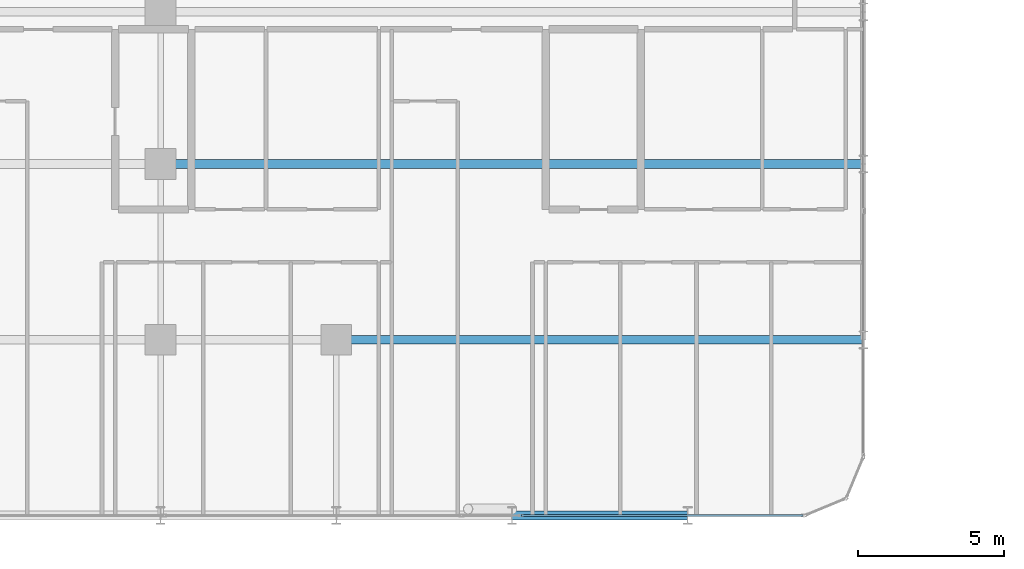
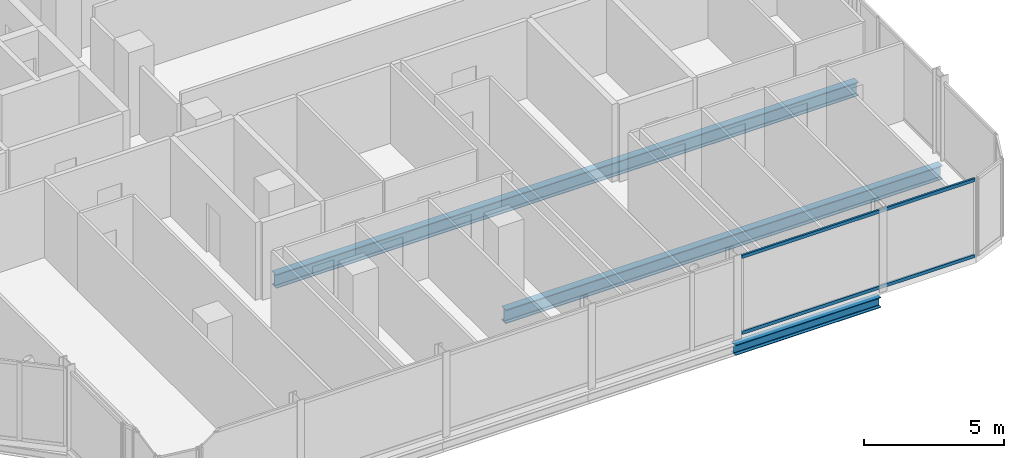
# One storey, part 9 of 29: 3 beams, 2 members, 1 element without a shape of its own.
"""IFC4 building model written with IfcOpenShell, lengths in metres."""

import ifcopenshell
import ifcopenshell.guid

model = None  # the IFC model being written
_history = None  # IfcOwnerHistory: only IFC2X3 demands one
_inside = {}  # id of a spatial element -> (the spatial element, [elements in it])
_under = {}  # id of a project, library or spatial element -> (it, [spatial elements below it])
_declared = {}  # id of a project -> (the project, [libraries it declares])
_typed = {}  # id of a type object -> (the type object, [elements of that type])
_made_of = {}  # id of a material, layer set ... -> (it, [elements and type objects made of it])


def new_model(schema):
    """Start an empty IFC model of exactly this schema.

    Asked for "IFC4X3", IfcOpenShell would pick the latest addendum, in which some entities
    have other attributes; the version numbers below select the first issue.
    IFC2X3 requires an IfcOwnerHistory on every rooted entity: one is made here for all.
    """
    global model, _history
    if schema == "IFC4X3":
        model = ifcopenshell.file(schema_version=(4, 3, 0, 0))
    else:
        model = ifcopenshell.file(schema=schema)
    _inside.clear()
    _under.clear()
    _declared.clear()
    _typed.clear()
    _made_of.clear()
    _history = None
    if model.schema == "IFC2X3":
        org = make("IfcOrganization", Name="unknown")
        user = make(
            "IfcPersonAndOrganization",
            ThePerson=make("IfcPerson", FamilyName="unknown"),
            TheOrganization=org,
        )
        app = make(
            "IfcApplication",
            ApplicationDeveloper=org,
            Version="unknown",
            ApplicationFullName="unknown",
            ApplicationIdentifier="unknown",
        )
        _history = make(
            "IfcOwnerHistory",
            OwningUser=user,
            OwningApplication=app,
            ChangeAction="ADDED",
            CreationDate=0,
        )
    return model


def make(cls, **values):
    """One entity of the class cls with the attributes given. An attribute that is None is left unset."""
    return model.create_entity(
        cls, **{name: value for name, value in values.items() if value is not None}
    )


def rooted(cls, **values):
    """An entity with a GlobalId (a new one), such as an element, a storey or a relation."""
    return make(cls, GlobalId=ifcopenshell.guid.new(), OwnerHistory=_history, **values)


def si_unit(unit_type, name, prefix=None):
    """IfcSIUnit, for example si_unit("LENGTHUNIT", "METRE", prefix="MILLI")."""
    return make("IfcSIUnit", UnitType=unit_type, Prefix=prefix, Name=name)


def assignment(units):
    """IfcUnitAssignment: the units of a project."""
    return None if units is None else make("IfcUnitAssignment", Units=units)


def point(xyz):
    """IfcCartesianPoint."""
    return None if xyz is None else make("IfcCartesianPoint", Coordinates=xyz)


def direction(xyz):
    """IfcDirection."""
    return None if xyz is None else make("IfcDirection", DirectionRatios=xyz)


def frame(location, z_axis=None, x_axis=None):
    """IfcAxis2Placement3D, a coordinate frame: its origin and axes. An axis left out is left unset."""
    return make(
        "IfcAxis2Placement3D",
        Location=point(location),
        Axis=direction(z_axis),
        RefDirection=direction(x_axis),
    )


def frame_2d(location, x_axis=None):
    """IfcAxis2Placement2D, a coordinate frame in the plane: its origin and x axis."""
    return make(
        "IfcAxis2Placement2D", Location=point(location), RefDirection=direction(x_axis)
    )


def origin():
    """The frame at (0, 0, 0) with its axes left unset."""
    return frame((0.0, 0.0, 0.0))


def origin_2d():
    """The frame at (0, 0) in the plane with its x axis left unset."""
    return frame_2d((0.0, 0.0))


def place(relative_to, where):
    """IfcLocalPlacement: puts the frame where relative to a parent placement (None: the world)."""
    return make(
        "IfcLocalPlacement", PlacementRelTo=relative_to, RelativePlacement=where
    )


def context(
    kind, dimensions, precision=None, world=None, true_north=None, identifier=None
):
    """IfcGeometricRepresentationContext, for example the 3D "Model" context."""
    return make(
        "IfcGeometricRepresentationContext",
        ContextIdentifier=identifier,
        ContextType=kind,
        CoordinateSpaceDimension=dimensions,
        Precision=precision,
        WorldCoordinateSystem=world,
        TrueNorth=true_north,
    )


def subcontext(parent, identifier, kind, view, scale=None):
    """IfcGeometricRepresentationSubContext, for example "Body" below "Model"."""
    return make(
        "IfcGeometricRepresentationSubContext",
        ContextIdentifier=identifier,
        ContextType=kind,
        ParentContext=parent,
        TargetScale=scale,
        TargetView=view,
    )


def project(units=None, contexts=None):
    """IfcProject with its units and contexts."""
    return rooted(
        "IfcProject",
        Name="project",
        RepresentationContexts=contexts,
        UnitsInContext=assignment(units),
    )


def spatial(cls, under=None, at=None, **own):
    """A site, building, storey or space (cls), placed at a placement, below another one or the project."""
    s = rooted(cls, ObjectPlacement=at, **own)
    if under is not None:
        _under.setdefault(under.id(), (under, []))[1].append(s)
    return s


def profile(cls, at=None, kind="AREA", **sizes):
    """A parametric profile (cls). Its sizes go by their IFC names, for example OverallWidth=200.0."""
    return make(cls, ProfileType=kind, Position=at, **sizes)


def hollow_rectangle(**sizes):
    """IfcRectangleHollowProfileDef."""
    return profile("IfcRectangleHollowProfileDef", **sizes)


def i_section(**sizes):
    """IfcIShapeProfileDef."""
    return profile("IfcIShapeProfileDef", **sizes)


def extrude(swept, where, along, depth):
    """IfcExtrudedAreaSolid: the profile swept, set in the frame where, extruded along a direction by depth."""
    return make(
        "IfcExtrudedAreaSolid",
        SweptArea=swept,
        Position=where,
        ExtrudedDirection=direction(along),
        Depth=depth,
    )


def shape(context_of_items, identifier, shape_type, items):
    """IfcShapeRepresentation: the items that make up one representation, for example the "Body"."""
    return make(
        "IfcShapeRepresentation",
        ContextOfItems=context_of_items,
        RepresentationIdentifier=identifier,
        RepresentationType=shape_type,
        Items=items,
    )


def material(Name=None, Category=None):
    """IfcMaterial."""
    return make("IfcMaterial", Name=Name, Category=Category)


def layer(
    of_material, thickness, ventilated=None, Name=None, Category=None, Priority=None
):
    """IfcMaterialLayer: one layer of a wall or slab, of a material (None: an air gap)."""
    return make(
        "IfcMaterialLayer",
        Material=of_material,
        LayerThickness=thickness,
        IsVentilated=ventilated,
        Name=Name,
        Category=Category,
        Priority=Priority,
    )


def layer_set(layers, Name=None):
    """IfcMaterialLayerSet."""
    return make("IfcMaterialLayerSet", MaterialLayers=layers, LayerSetName=Name)


def material_profile(
    of_material, cross_section, Name=None, Category=None, Priority=None
):
    """IfcMaterialProfile: a cross section and its material."""
    return make(
        "IfcMaterialProfile",
        Name=Name,
        Material=of_material,
        Profile=cross_section,
        Priority=Priority,
        Category=Category,
    )


def profile_set(profiles, Name=None, composite=None):
    """IfcMaterialProfileSet."""
    return make(
        "IfcMaterialProfileSet",
        Name=Name,
        MaterialProfiles=profiles,
        CompositeProfile=composite,
    )


def made_of(thing, what):
    """Note that an element or type object is made of a material, layer set ...; save() writes the relation."""
    if what is not None:
        _made_of.setdefault(what.id(), (what, []))[1].append(thing)
    return thing


def type_object(cls, material=None, **own):
    """A type object (cls), such as IfcWallType, which elements share."""
    return made_of(rooted(cls, **own), material)


def element(
    cls,
    number,
    at=None,
    inside=None,
    cuts=None,
    type_object=None,
    material=None,
    context=None,
    identifier="Body",
    shape_type=None,
    held_by="IfcProductDefinitionShape",
    body=None,
    shapes=None,
    **own,
):
    """One element of the class cls, such as IfcWall. Its Tag is "e" and its number.

    at: its placement. inside: the storey or other place that contains it. cuts: it is an
    opening in that element (IfcRelVoidsElement). A single representation is given by context,
    identifier, shape_type and body (its items); several are given by shapes. held_by: the class
    of the entity that holds the representations. save() writes the other relations.
    """
    e = rooted(cls, Tag="e%d" % number, ObjectPlacement=at, **own)
    if body is not None:
        shapes = [shape(context, identifier, shape_type, body)]
    if shapes is not None:
        e.Representation = make(held_by, Representations=shapes)
    if inside is not None:
        _inside.setdefault(inside.id(), (inside, []))[1].append(e)
    if cuts is not None:
        rooted(
            "IfcRelVoidsElement", RelatingBuildingElement=cuts, RelatedOpeningElement=e
        )
    if type_object is not None:
        _typed.setdefault(type_object.id(), (type_object, []))[1].append(e)
    return made_of(e, material)


def aggregate(whole, parts):
    """IfcRelAggregates: a whole, such as a stair, and the parts it consists of."""
    return rooted("IfcRelAggregates", RelatingObject=whole, RelatedObjects=parts)


def save(model, path):
    """Write the relations noted so far, then the file.

    IfcRelAggregates (storeys below a building ...), IfcRelContainedInSpatialStructure (elements
    in a storey), IfcRelDefinesByType, IfcRelAssociatesMaterial and IfcRelDeclares: one each for
    every whole, place, type object, material and project.
    """
    for whole, parts in _under.values():
        aggregate(whole, parts)
    for where, things in _inside.values():
        rooted(
            "IfcRelContainedInSpatialStructure",
            RelatedElements=things,
            RelatingStructure=where,
        )
    for kind, things in _typed.values():
        rooted("IfcRelDefinesByType", RelatedObjects=things, RelatingType=kind)
    for what, things in _made_of.values():
        rooted("IfcRelAssociatesMaterial", RelatedObjects=things, RelatingMaterial=what)
    for by, libraries in _declared.values():
        rooted("IfcRelDeclares", RelatingContext=by, RelatedDefinitions=libraries)
    model.write(path)


model = new_model("IFC4")

# Units and contexts
model_context = context("Model", 3, precision=1e-05, world=origin(), true_north=direction((0.0, 1.0)))
body_context = subcontext(model_context, "Body", "Model", "MODEL_VIEW")
ifc_project = project(units=[si_unit("LENGTHUNIT", "METRE"), si_unit("AREAUNIT", "SQUARE_METRE"), si_unit("VOLUMEUNIT", "CUBIC_METRE"), si_unit("PLANEANGLEUNIT", "RADIAN"), si_unit("MASSUNIT", "GRAM", prefix="KILO")], contexts=[model_context])

# Site, building, storey
site_placement = place(None, origin())
site = spatial("IfcSite", under=ifc_project, at=site_placement, CompositionType="ELEMENT")
building_placement = place(site_placement, origin())
building = spatial("IfcBuilding", under=site, at=building_placement, Name="Keshet Zoharim Tower", CompositionType="ELEMENT")
storey_placement = place(building_placement, frame((0.0, 0.0, 105.699951171875)))
storey = spatial("IfcBuildingStorey", under=building, at=storey_placement, Name="L25", CompositionType="ELEMENT", Elevation=105.699951171875)

# Beams
ifc_material_1 = material(Name="Steel S355", Category="steel")
ifc_material_profile_1 = material_profile(ifc_material_1, i_section(OverallWidth=0.300048828125, OverallDepth=0.60009765625, WebThickness=0.015380859375, FlangeThickness=0.030029296875, FilletRadius=0.027099609375, at=origin_2d()), Name="HEB600")
ifc_profile_set_1 = profile_set([ifc_material_profile_1], Name="Steel S355")
beam_type_1 = type_object("IfcBeamType", Name="BM-LNG-HB600", PredefinedType="BEAM", material=ifc_profile_set_1)
beam_1_placement = place(storey_placement, frame((39.0, 6.699951171875, -0.614990234375), z_axis=(1.0, 0.0, 0.0), x_axis=(0.0, 1.0, 0.0)))
element("IfcBeam", 1, at=beam_1_placement, inside=storey, type_object=beam_type_1, Name="L25 Primary Girder X-008", PredefinedType="BEAM", context=body_context, shape_type="SweptSolid", body=[
    extrude(i_section(OverallWidth=0.300048828125, OverallDepth=0.60009765625, WebThickness=0.015380859375, FlangeThickness=0.030029296875, FilletRadius=0.027099609375, at=origin_2d()), origin(), (0.0, 0.0, 1.0), 18.0),
])
beam_2_placement = place(storey_placement, frame((33.0, 12.699951171875, -0.614990234375), z_axis=(1.0, 0.0, 0.0), x_axis=(0.0, 1.0, 0.0)))
element("IfcBeam", 2, at=beam_2_placement, inside=storey, type_object=beam_type_1, Name="L25 Primary Girder X-010", PredefinedType="BEAM", context=body_context, shape_type="SweptSolid", body=[
    extrude(i_section(OverallWidth=0.300048828125, OverallDepth=0.60009765625, WebThickness=0.015380859375, FlangeThickness=0.030029296875, FilletRadius=0.027099609375, at=origin_2d()), origin(), (0.0, 0.0, 1.0), 24.0),
])
ifc_material_profile_2 = material_profile(ifc_material_1, i_section(OverallWidth=0.300048828125, OverallDepth=0.449951171875, WebThickness=0.013916015625, FlangeThickness=0.02587890625, FilletRadius=0.027099609375, at=origin_2d()), Name="HEB450")
ifc_profile_set_2 = profile_set([ifc_material_profile_2], Name="Steel S355")
beam_type_2 = type_object("IfcBeamType", Name="BM-WEB-HB450", PredefinedType="BEAM", material=ifc_profile_set_2)
beam_3_placement = place(storey_placement, frame((45.0, 0.699951171875, -0.5400390625), z_axis=(1.0, 0.0, 0.0), x_axis=(0.0, 1.0, 0.0)))
element("IfcBeam", 3, at=beam_3_placement, inside=storey, type_object=beam_type_2, Name="L25 Primary Girder X-004", PredefinedType="BEAM", context=body_context, shape_type="SweptSolid", body=[
    extrude(i_section(OverallWidth=0.300048828125, OverallDepth=0.449951171875, WebThickness=0.013916015625, FlangeThickness=0.02587890625, FilletRadius=0.027099609375, at=origin_2d()), origin(), (0.0, 0.0, 1.0), 6.0),
])

# Curtain wall, members
ifc_material_2 = material(Name="Aluminium 6063-T6", Category="aluminium")
ifc_layer = layer(ifc_material_2, 0.159912109375)
ifc_layer_set = layer_set([ifc_layer], Name="Aluminium 6063-T6")
curtain_wall_type = type_object("IfcCurtainWallType", Name="CW-SYS-03", PredefinedType="NOTDEFINED", material=ifc_layer_set)
curtain_wall_placement = place(storey_placement, origin())
curtain_wall = element("IfcCurtainWall", 4, at=curtain_wall_placement, inside=storey, type_object=curtain_wall_type, Name="L25 Unitised Curtain Wall 03", PredefinedType="NOTDEFINED")
ifc_material_profile_3 = material_profile(ifc_material_2, hollow_rectangle(XDim=0.080078125, YDim=0.139892578125, WallThickness=0.00390625, at=origin_2d()), Name="TRN-80x140")
ifc_profile_set_3 = profile_set([ifc_material_profile_3], Name="Aluminium 6063-T6")
member_type = type_object("IfcMemberType", Name="CWT-T14", PredefinedType="USERDEFINED", material=ifc_profile_set_3)
member_1_placement = place(storey_placement, frame((54.929931640625, 0.699951171875, 0.03515625), z_axis=(-1.0, 0.0, 0.0), x_axis=(0.0, -1.0, 0.0)))
member_1 = element("IfcMember", 5, at=member_1_placement, type_object=member_type, Name="CW-03 transom 1.1", ObjectType="TRANSOM", PredefinedType="USERDEFINED", context=body_context, shape_type="SweptSolid", body=[
    extrude(hollow_rectangle(XDim=0.080078125, YDim=0.139892578125, WallThickness=0.00390625, at=origin_2d()), origin(), (0.0, 0.0, 1.0), 9.597412109375),
])
member_2_placement = place(storey_placement, frame((54.929931640625, 0.699951171875, 3.35009765625), z_axis=(-1.0, 0.0, 0.0), x_axis=(0.0, -1.0, 0.0)))
member_2 = element("IfcMember", 6, at=member_2_placement, type_object=member_type, Name="CW-03 transom 1.2", ObjectType="TRANSOM", PredefinedType="USERDEFINED", context=body_context, shape_type="SweptSolid", body=[
    extrude(hollow_rectangle(XDim=0.080078125, YDim=0.139892578125, WallThickness=0.00390625, at=origin_2d()), origin(), (0.0, 0.0, 1.0), 9.597412109375),
])
aggregate(curtain_wall, [member_1, member_2])

save(model, "model.ifc")
